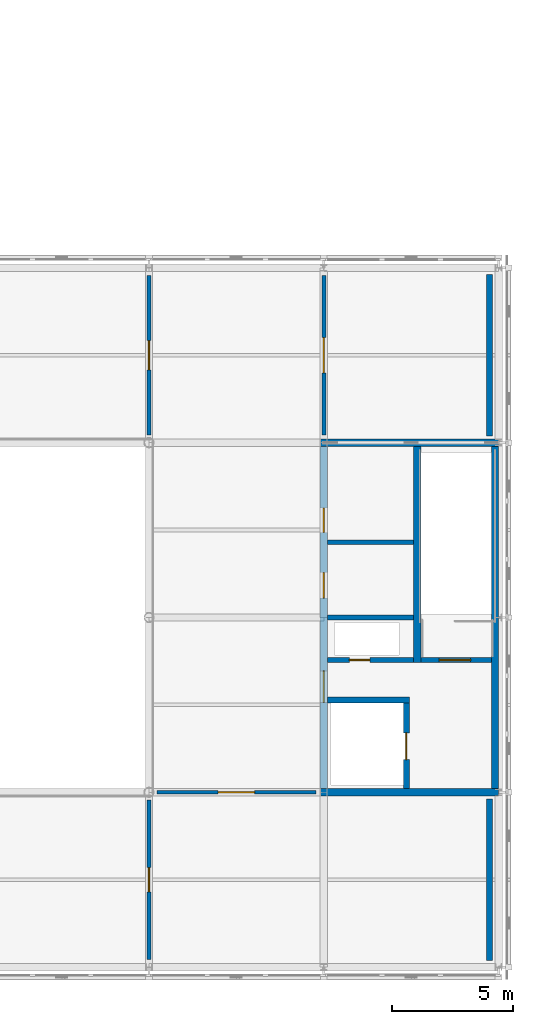
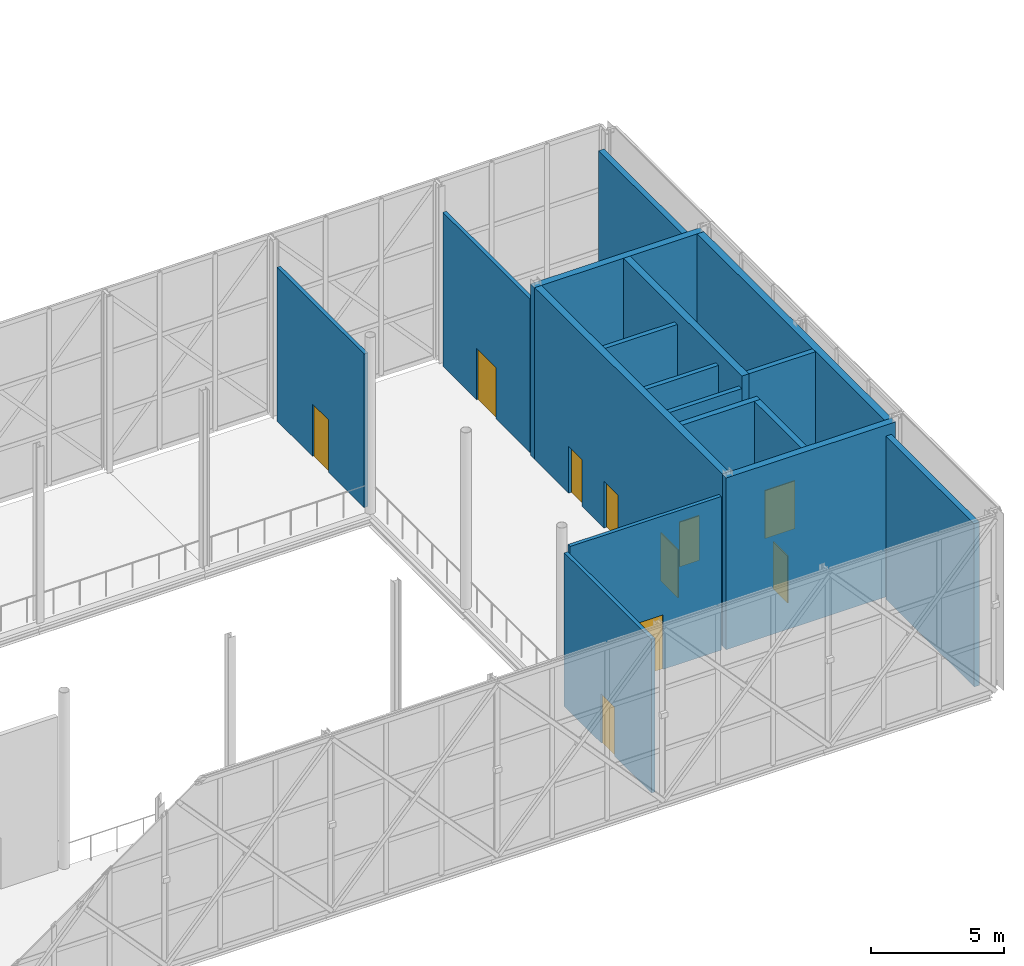
# One storey, part 68 of 76: 17 walls, 10 doors, 10 openings.
"""IFC4 building model written with IfcOpenShell, lengths in metres."""

import ifcopenshell
import ifcopenshell.guid

model = None  # the IFC model being written
_history = None  # IfcOwnerHistory: only IFC2X3 demands one
_inside = {}  # id of a spatial element -> (the spatial element, [elements in it])
_under = {}  # id of a project, library or spatial element -> (it, [spatial elements below it])
_declared = {}  # id of a project -> (the project, [libraries it declares])
_typed = {}  # id of a type object -> (the type object, [elements of that type])
_made_of = {}  # id of a material, layer set ... -> (it, [elements and type objects made of it])


def new_model(schema):
    """Start an empty IFC model of exactly this schema.

    Asked for "IFC4X3", IfcOpenShell would pick the latest addendum, in which some entities
    have other attributes; the version numbers below select the first issue.
    IFC2X3 requires an IfcOwnerHistory on every rooted entity: one is made here for all.
    """
    global model, _history
    if schema == "IFC4X3":
        model = ifcopenshell.file(schema_version=(4, 3, 0, 0))
    else:
        model = ifcopenshell.file(schema=schema)
    _inside.clear()
    _under.clear()
    _declared.clear()
    _typed.clear()
    _made_of.clear()
    _history = None
    if model.schema == "IFC2X3":
        org = make("IfcOrganization", Name="unknown")
        user = make(
            "IfcPersonAndOrganization",
            ThePerson=make("IfcPerson", FamilyName="unknown"),
            TheOrganization=org,
        )
        app = make(
            "IfcApplication",
            ApplicationDeveloper=org,
            Version="unknown",
            ApplicationFullName="unknown",
            ApplicationIdentifier="unknown",
        )
        _history = make(
            "IfcOwnerHistory",
            OwningUser=user,
            OwningApplication=app,
            ChangeAction="ADDED",
            CreationDate=0,
        )
    return model


def make(cls, **values):
    """One entity of the class cls with the attributes given. An attribute that is None is left unset."""
    return model.create_entity(
        cls, **{name: value for name, value in values.items() if value is not None}
    )


def rooted(cls, **values):
    """An entity with a GlobalId (a new one), such as an element, a storey or a relation."""
    return make(cls, GlobalId=ifcopenshell.guid.new(), OwnerHistory=_history, **values)


def si_unit(unit_type, name, prefix=None):
    """IfcSIUnit, for example si_unit("LENGTHUNIT", "METRE", prefix="MILLI")."""
    return make("IfcSIUnit", UnitType=unit_type, Prefix=prefix, Name=name)


def assignment(units):
    """IfcUnitAssignment: the units of a project."""
    return None if units is None else make("IfcUnitAssignment", Units=units)


def point(xyz):
    """IfcCartesianPoint."""
    return None if xyz is None else make("IfcCartesianPoint", Coordinates=xyz)


def direction(xyz):
    """IfcDirection."""
    return None if xyz is None else make("IfcDirection", DirectionRatios=xyz)


def frame(location, z_axis=None, x_axis=None):
    """IfcAxis2Placement3D, a coordinate frame: its origin and axes. An axis left out is left unset."""
    return make(
        "IfcAxis2Placement3D",
        Location=point(location),
        Axis=direction(z_axis),
        RefDirection=direction(x_axis),
    )


def frame_2d(location, x_axis=None):
    """IfcAxis2Placement2D, a coordinate frame in the plane: its origin and x axis."""
    return make(
        "IfcAxis2Placement2D", Location=point(location), RefDirection=direction(x_axis)
    )


def origin():
    """The frame at (0, 0, 0) with its axes left unset."""
    return frame((0.0, 0.0, 0.0))


def place(relative_to, where):
    """IfcLocalPlacement: puts the frame where relative to a parent placement (None: the world)."""
    return make(
        "IfcLocalPlacement", PlacementRelTo=relative_to, RelativePlacement=where
    )


def context(
    kind, dimensions, precision=None, world=None, true_north=None, identifier=None
):
    """IfcGeometricRepresentationContext, for example the 3D "Model" context."""
    return make(
        "IfcGeometricRepresentationContext",
        ContextIdentifier=identifier,
        ContextType=kind,
        CoordinateSpaceDimension=dimensions,
        Precision=precision,
        WorldCoordinateSystem=world,
        TrueNorth=true_north,
    )


def subcontext(parent, identifier, kind, view, scale=None):
    """IfcGeometricRepresentationSubContext, for example "Body" below "Model"."""
    return make(
        "IfcGeometricRepresentationSubContext",
        ContextIdentifier=identifier,
        ContextType=kind,
        ParentContext=parent,
        TargetScale=scale,
        TargetView=view,
    )


def project(units=None, contexts=None):
    """IfcProject with its units and contexts."""
    return rooted(
        "IfcProject",
        Name="project",
        RepresentationContexts=contexts,
        UnitsInContext=assignment(units),
    )


def spatial(cls, under=None, at=None, **own):
    """A site, building, storey or space (cls), placed at a placement, below another one or the project."""
    s = rooted(cls, ObjectPlacement=at, **own)
    if under is not None:
        _under.setdefault(under.id(), (under, []))[1].append(s)
    return s


def profile(cls, at=None, kind="AREA", **sizes):
    """A parametric profile (cls). Its sizes go by their IFC names, for example OverallWidth=200.0."""
    return make(cls, ProfileType=kind, Position=at, **sizes)


def rectangle(**sizes):
    """IfcRectangleProfileDef."""
    return profile("IfcRectangleProfileDef", **sizes)


def extrude(swept, where, along, depth):
    """IfcExtrudedAreaSolid: the profile swept, set in the frame where, extruded along a direction by depth."""
    return make(
        "IfcExtrudedAreaSolid",
        SweptArea=swept,
        Position=where,
        ExtrudedDirection=direction(along),
        Depth=depth,
    )


def shape(context_of_items, identifier, shape_type, items):
    """IfcShapeRepresentation: the items that make up one representation, for example the "Body"."""
    return make(
        "IfcShapeRepresentation",
        ContextOfItems=context_of_items,
        RepresentationIdentifier=identifier,
        RepresentationType=shape_type,
        Items=items,
    )


def material(Name=None, Category=None):
    """IfcMaterial."""
    return make("IfcMaterial", Name=Name, Category=Category)


def layer(
    of_material, thickness, ventilated=None, Name=None, Category=None, Priority=None
):
    """IfcMaterialLayer: one layer of a wall or slab, of a material (None: an air gap)."""
    return make(
        "IfcMaterialLayer",
        Material=of_material,
        LayerThickness=thickness,
        IsVentilated=ventilated,
        Name=Name,
        Category=Category,
        Priority=Priority,
    )


def layer_set(layers, Name=None):
    """IfcMaterialLayerSet."""
    return make("IfcMaterialLayerSet", MaterialLayers=layers, LayerSetName=Name)


def made_of(thing, what):
    """Note that an element or type object is made of a material, layer set ...; save() writes the relation."""
    if what is not None:
        _made_of.setdefault(what.id(), (what, []))[1].append(thing)
    return thing


def type_object(cls, material=None, **own):
    """A type object (cls), such as IfcWallType, which elements share."""
    return made_of(rooted(cls, **own), material)


def element(
    cls,
    number,
    at=None,
    inside=None,
    cuts=None,
    type_object=None,
    material=None,
    context=None,
    identifier="Body",
    shape_type=None,
    held_by="IfcProductDefinitionShape",
    body=None,
    shapes=None,
    **own,
):
    """One element of the class cls, such as IfcWall. Its Tag is "e" and its number.

    at: its placement. inside: the storey or other place that contains it. cuts: it is an
    opening in that element (IfcRelVoidsElement). A single representation is given by context,
    identifier, shape_type and body (its items); several are given by shapes. held_by: the class
    of the entity that holds the representations. save() writes the other relations.
    """
    e = rooted(cls, Tag="e%d" % number, ObjectPlacement=at, **own)
    if body is not None:
        shapes = [shape(context, identifier, shape_type, body)]
    if shapes is not None:
        e.Representation = make(held_by, Representations=shapes)
    if inside is not None:
        _inside.setdefault(inside.id(), (inside, []))[1].append(e)
    if cuts is not None:
        rooted(
            "IfcRelVoidsElement", RelatingBuildingElement=cuts, RelatedOpeningElement=e
        )
    if type_object is not None:
        _typed.setdefault(type_object.id(), (type_object, []))[1].append(e)
    return made_of(e, material)


def fill(opening, filler):
    """IfcRelFillsElement: the door or window that sits in an opening."""
    return rooted(
        "IfcRelFillsElement",
        RelatingOpeningElement=opening,
        RelatedBuildingElement=filler,
    )


def aggregate(whole, parts):
    """IfcRelAggregates: a whole, such as a stair, and the parts it consists of."""
    return rooted("IfcRelAggregates", RelatingObject=whole, RelatedObjects=parts)


def save(model, path):
    """Write the relations noted so far, then the file.

    IfcRelAggregates (storeys below a building ...), IfcRelContainedInSpatialStructure (elements
    in a storey), IfcRelDefinesByType, IfcRelAssociatesMaterial and IfcRelDeclares: one each for
    every whole, place, type object, material and project.
    """
    for whole, parts in _under.values():
        aggregate(whole, parts)
    for where, things in _inside.values():
        rooted(
            "IfcRelContainedInSpatialStructure",
            RelatedElements=things,
            RelatingStructure=where,
        )
    for kind, things in _typed.values():
        rooted("IfcRelDefinesByType", RelatedObjects=things, RelatingType=kind)
    for what, things in _made_of.values():
        rooted("IfcRelAssociatesMaterial", RelatedObjects=things, RelatingMaterial=what)
    for by, libraries in _declared.values():
        rooted("IfcRelDeclares", RelatingContext=by, RelatedDefinitions=libraries)
    model.write(path)


model = new_model("IFC4")

# Units and contexts
model_context = context("Model", 3, precision=1e-05, world=origin(), true_north=direction((0.0, 1.0)))
body_context = subcontext(model_context, "Body", "Model", "MODEL_VIEW")
ifc_project = project(units=[si_unit("LENGTHUNIT", "METRE"), si_unit("AREAUNIT", "SQUARE_METRE"), si_unit("VOLUMEUNIT", "CUBIC_METRE"), si_unit("PLANEANGLEUNIT", "RADIAN"), si_unit("MASSUNIT", "GRAM", prefix="KILO")], contexts=[model_context])

# Site, building, storey
site_placement = place(None, origin())
site = spatial("IfcSite", under=ifc_project, at=site_placement, CompositionType="ELEMENT")
building_placement = place(site_placement, origin())
building = spatial("IfcBuilding", under=site, at=building_placement, Name="Zlatovets Crest Museum", CompositionType="ELEMENT")
storey_placement = place(building_placement, frame((0.0, 0.0, 17.10009765625)))
storey = spatial("IfcBuildingStorey", under=building, at=storey_placement, Name="L04", CompositionType="ELEMENT", Elevation=17.10009765625)

# Walls
ifc_material_1 = material(Name="Concrete C35/45", Category="concrete")
ifc_layer_1 = layer(ifc_material_1, 0.300048828125)
ifc_layer_set_1 = layer_set([ifc_layer_1], Name="Concrete C35/45")
wall_type_1 = type_object("IfcWallType", Name="CoreWall_SW01", PredefinedType="SHEAR", material=ifc_layer_set_1)
for number, where, z_axis, x_axis, name in (
    (1, (100.64990234375, 7.199951171875, 0.0), (0.0, 0.0, 1.0), (1.0, 0.0, 0.0), "Core C8 L04 South Shear Wall"),
    (2, (100.64990234375, 21.60009765625, 0.0), (0.0, 0.0, 1.0), (1.0, 0.0, 0.0), "Core C8 L04 North Shear Wall"),
):
    element("IfcWall", number, at=place(storey_placement, frame(where, z_axis=z_axis, x_axis=x_axis)), inside=storey, type_object=wall_type_1, Name=name, PredefinedType="SHEAR", context=body_context, shape_type="SweptSolid", body=[
        extrude(rectangle(XDim=7.35009765625, YDim=0.300048828125, at=frame_2d((3.675048828125, 0.0))), origin(), (0.0, 0.0, 1.0), 7.8798828125),
    ])
wall_1_placement = place(storey_placement, frame((107.85009765625, 7.35009765625, 0.0), z_axis=(0.0, 0.0, 1.0), x_axis=(0.0, 1.0, 0.0)))
element("IfcWall", 3, at=wall_1_placement, inside=storey, type_object=wall_type_1, Name="Core C8 L04 Perimeter Shear Wall", PredefinedType="SHEAR", context=body_context, shape_type="SweptSolid", body=[
    extrude(rectangle(XDim=14.099853515625, YDim=0.300048828125, at=frame_2d((7.0498046875, 0.0))), origin(), (0.0, 0.0, 1.0), 7.8798828125),
])

# Wall, openings, doors
wall_2_placement = place(storey_placement, frame((100.800048828125, 7.35009765625, 0.0), z_axis=(0.0, 0.0, 1.0), x_axis=(0.0, 1.0, 0.0)))
wall_2 = element("IfcWall", 4, at=wall_2_placement, inside=storey, type_object=wall_type_1, Name="Core C8 L04 Spine Shear Wall", PredefinedType="SHEAR", context=body_context, shape_type="SweptSolid", body=[
    extrude(rectangle(XDim=14.099853515625, YDim=0.300048828125, at=frame_2d((7.0498046875, 0.0))), origin(), (0.0, 0.0, 1.0), 7.8798828125),
])
opening_1_placement = place(wall_2_placement, frame((3.550048828125, 0.0, 0.0)))
opening_1 = element("IfcOpeningElement", 5, at=opening_1_placement, cuts=wall_2, Name="Opening FD-01", PredefinedType="OPENING", context=body_context, shape_type="SweptSolid", body=[
    extrude(rectangle(XDim=1.300048828125, YDim=2.199951171875, at=frame_2d((0.64990234375, 1.10009765625))), frame((0.0, 0.16015625, 0.0), z_axis=(0.0, -1.0, 0.0), x_axis=(1.0, 0.0, 0.0)), (0.0, 0.0, 1.0), 0.320068359375),
])
opening_2_placement = place(wall_2_placement, frame((7.85009765625, 0.0, 0.0)))
opening_2 = element("IfcOpeningElement", 6, at=opening_2_placement, cuts=wall_2, Name="Opening ID-02", PredefinedType="OPENING", context=body_context, shape_type="SweptSolid", body=[
    extrude(rectangle(XDim=1.050048828125, YDim=2.14990234375, at=frame_2d((0.52490234375, 1.074951171875))), frame((0.0, 0.16015625, 0.0), z_axis=(0.0, -1.0, 0.0), x_axis=(1.0, 0.0, 0.0)), (0.0, 0.0, 1.0), 0.320068359375),
])
opening_3_placement = place(wall_2_placement, frame((10.550048828125, 0.0, 0.0)))
opening_3 = element("IfcOpeningElement", 7, at=opening_3_placement, cuts=wall_2, Name="Opening ID-01", PredefinedType="OPENING", context=body_context, shape_type="SweptSolid", body=[
    extrude(rectangle(XDim=1.0, YDim=2.14990234375, at=frame_2d((0.5, 1.074951171875))), frame((0.0, 0.16015625, 0.0), z_axis=(0.0, -1.0, 0.0), x_axis=(1.0, 0.0, 0.0)), (0.0, 0.0, 1.0), 0.320068359375),
])
ifc_material_2 = material(Name="Smoke-sealed steel fire door", Category="steel")
door_type_1 = type_object("IfcDoorType", Name="IntDoor_FD-01", OperationType="NOTDEFINED", PredefinedType="DOOR", material=ifc_material_2)
door_1_placement = place(opening_1_placement, origin())
door_1 = element("IfcDoor", 8, at=door_1_placement, inside=storey, type_object=door_type_1, Name="CDOOR-C8-L04-LOB Core C8 L04 Lobby Fire Door", OperationType="SINGLE_SWING_RIGHT", OverallHeight=2.199951171875, OverallWidth=1.300048828125, PredefinedType="DOOR", context=body_context, shape_type="SweptSolid", body=[
    extrude(rectangle(XDim=1.300048828125, YDim=2.199951171875, at=frame_2d((0.64990234375, 1.10009765625))), frame((0.0, 0.02490234375, 0.0), z_axis=(0.0, -1.0, 0.0), x_axis=(1.0, 0.0, 0.0)), (0.0, 0.0, 1.0), 0.050048828125),
])
fill(opening_1, door_1)
ifc_material_3 = material(Name="Solid oak museum room door")
door_type_2 = type_object("IfcDoorType", Name="IntDoor_ID-01", OperationType="NOTDEFINED", PredefinedType="DOOR", material=ifc_material_3)
door_2_placement = place(opening_3_placement, origin())
door_2 = element("IfcDoor", 9, at=door_2_placement, inside=storey, type_object=door_type_2, Name="CDOOR-C8-L04-WC Core C8 L04 Public Restroom Door", OperationType="SINGLE_SWING_RIGHT", OverallHeight=2.14990234375, OverallWidth=1.0, PredefinedType="DOOR", context=body_context, shape_type="SweptSolid", body=[
    extrude(rectangle(XDim=1.0, YDim=2.14990234375, at=frame_2d((0.5, 1.074951171875))), frame((0.0, 0.02490234375, 0.0), z_axis=(0.0, -1.0, 0.0), x_axis=(1.0, 0.0, 0.0)), (0.0, 0.0, 1.0), 0.050048828125),
])
fill(opening_3, door_2)
ifc_material_4 = material(Name="Accessible sanitary room door")
door_type_3 = type_object("IfcDoorType", Name="IntDoor_ID-02", OperationType="NOTDEFINED", PredefinedType="DOOR", material=ifc_material_4)
door_3_placement = place(opening_2_placement, origin())
door_3 = element("IfcDoor", 10, at=door_3_placement, inside=storey, type_object=door_type_3, Name="CDOOR-C8-L04-AWC Core C8 L04 Accessible WC Door", OperationType="SINGLE_SWING_LEFT", OverallHeight=2.14990234375, OverallWidth=1.050048828125, PredefinedType="DOOR", context=body_context, shape_type="SweptSolid", body=[
    extrude(rectangle(XDim=1.050048828125, YDim=2.14990234375, at=frame_2d((0.52490234375, 1.074951171875))), frame((0.0, 0.02490234375, 0.0), z_axis=(0.0, -1.0, 0.0), x_axis=(1.0, 0.0, 0.0)), (0.0, 0.0, 1.0), 0.050048828125),
])
fill(opening_2, door_3)

# Wall
wall_3_placement = place(storey_placement, frame((104.64990234375, 12.5400390625, 0.0), z_axis=(0.0, 0.0, 1.0), x_axis=(0.0, 1.0, 0.0)))
element("IfcWall", 11, at=wall_3_placement, inside=storey, type_object=wall_type_1, Name="Core C8 L04 Stair Divider Wall", PredefinedType="SHEAR", context=body_context, shape_type="SweptSolid", body=[
    extrude(rectangle(XDim=8.909912109375, YDim=0.300048828125, at=frame_2d((4.455078125, 0.0))), origin(), (0.0, 0.0, 1.0), 7.8798828125),
])

# Wall, opening, door
ifc_layer_2 = layer(ifc_material_1, 0.25)
ifc_layer_set_2 = layer_set([ifc_layer_2], Name="Concrete C35/45")
wall_type_2 = type_object("IfcWallType", Name="CoreWall_SW02", PredefinedType="SHEAR", material=ifc_layer_set_2)
wall_4_placement = place(storey_placement, frame((104.199951171875, 7.35009765625, 0.0), z_axis=(0.0, 0.0, 1.0), x_axis=(0.0, 1.0, 0.0)))
wall_4 = element("IfcWall", 12, at=wall_4_placement, inside=storey, type_object=wall_type_2, Name="Core C8 L04 Lift Shaft Wall", PredefinedType="SHEAR", context=body_context, shape_type="SweptSolid", body=[
    extrude(rectangle(XDim=3.52490234375, YDim=0.25, at=frame_2d((1.762451171875, 0.0))), origin(), (0.0, 0.0, 1.0), 7.8798828125),
])
opening_4_placement = place(wall_4_placement, frame((1.199951171875, 0.0, 0.0)))
opening_4 = element("IfcOpeningElement", 13, at=opening_4_placement, cuts=wall_4, Name="Opening LD-01", PredefinedType="OPENING", context=body_context, shape_type="SweptSolid", body=[
    extrude(rectangle(XDim=1.10009765625, YDim=2.14990234375, at=frame_2d((0.550048828125, 1.074951171875))), frame((0.0, 0.135009765625, 0.0), z_axis=(0.0, -1.0, 0.0), x_axis=(1.0, 0.0, 0.0)), (0.0, 0.0, 1.0), 0.27001953125),
])
ifc_material_5 = material(Name="Stainless-bronze sliding lift landing door")
door_type_4 = type_object("IfcDoorType", Name="IntDoor_LD-01", OperationType="SLIDING_TO_LEFT", PredefinedType="DOOR", material=ifc_material_5)
door_4_placement = place(opening_4_placement, origin())
door_4 = element("IfcDoor", 14, at=door_4_placement, inside=storey, type_object=door_type_4, Name="LDOOR-PL5-L04 Lift PL5 L04 Sliding Landing Door", OperationType="SLIDING_TO_LEFT", OverallHeight=2.14990234375, OverallWidth=1.10009765625, PredefinedType="DOOR", context=body_context, shape_type="SweptSolid", body=[
    extrude(rectangle(XDim=1.10009765625, YDim=2.14990234375, at=frame_2d((0.550048828125, 1.074951171875))), frame((0.0, 0.02490234375, 0.0), z_axis=(0.0, -1.0, 0.0), x_axis=(1.0, 0.0, 0.0)), (0.0, 0.0, 1.0), 0.050048828125),
])
fill(opening_4, door_4)

wall_5_placement = place(storey_placement, frame((104.800048828125, 12.64990234375, 0.0), z_axis=(0.0, 0.0, 1.0), x_axis=(1.0, 0.0, 0.0)))
wall_5 = element("IfcWall", 15, at=wall_5_placement, inside=storey, type_object=wall_type_2, Name="Core C8 L04 Stairwell Fire Wall", PredefinedType="SHEAR", context=body_context, shape_type="SweptSolid", body=[
    extrude(rectangle(XDim=2.89990234375, YDim=0.219970703125, at=frame_2d((1.449951171875, 0.0))), origin(), (0.0, 0.0, 1.0), 7.8798828125),
])
opening_5_placement = place(wall_5_placement, frame((0.75, 0.0, 0.0)))
opening_5 = element("IfcOpeningElement", 16, at=opening_5_placement, cuts=wall_5, Name="Opening FD-01", PredefinedType="OPENING", context=body_context, shape_type="SweptSolid", body=[
    extrude(rectangle(XDim=1.300048828125, YDim=2.199951171875, at=frame_2d((0.64990234375, 1.10009765625))), frame((0.0, 0.1201171875, 0.0), z_axis=(0.0, -1.0, 0.0), x_axis=(1.0, 0.0, 0.0)), (0.0, 0.0, 1.0), 0.239990234375),
])
door_5_placement = place(opening_5_placement, origin())
door_5 = element("IfcDoor", 17, at=door_5_placement, inside=storey, type_object=door_type_1, Name="SDOOR-ST9-L04 Stair ST9 L04 Fire Door", OperationType="SINGLE_SWING_LEFT", OverallHeight=2.199951171875, OverallWidth=1.300048828125, PredefinedType="DOOR", context=body_context, shape_type="SweptSolid", body=[
    extrude(rectangle(XDim=1.300048828125, YDim=2.199951171875, at=frame_2d((0.64990234375, 1.10009765625))), frame((0.0, 0.02490234375, 0.0), z_axis=(0.0, -1.0, 0.0), x_axis=(1.0, 0.0, 0.0)), (0.0, 0.0, 1.0), 0.050048828125),
])
fill(opening_5, door_5)

# Walls
wall_6_placement = place(storey_placement, frame((100.949951171875, 11.0, 0.0), z_axis=(0.0, 0.0, 1.0), x_axis=(1.0, 0.0, 0.0)))
element("IfcWall", 18, at=wall_6_placement, inside=storey, type_object=wall_type_2, Name="Core C8 L04 Lift Shaft North Shear Wall", PredefinedType="SHEAR", context=body_context, shape_type="SweptSolid", body=[
    extrude(rectangle(XDim=3.375, YDim=0.25, at=frame_2d((1.6875, 0.0))), origin(), (0.0, 0.0, 1.0), 7.8798828125),
])
ifc_material_6 = material(Name="Insulated gallery conservation liner wall", Category="concrete")
ifc_layer_3 = layer(ifc_material_6, 0.300048828125)
ifc_layer_set_3 = layer_set([ifc_layer_3], Name="Insulated gallery conservation liner wall")
wall_type_3 = type_object("IfcWallType", Name="ExtWall_EW-02", PredefinedType="STANDARD", material=ifc_layer_set_3)
wall_7_placement = place(storey_placement, frame((107.6201171875, 0.280029296875, 0.0), z_axis=(0.0, 0.0, 1.0), x_axis=(0.0, 1.0, 0.0)))
element("IfcWall", 19, at=wall_7_placement, inside=storey, type_object=wall_type_3, Name="V2 L04 Interior Conservation Gallery Liner Wall", PredefinedType="STANDARD", context=body_context, shape_type="SweptSolid", body=[
    extrude(rectangle(XDim=6.639892578125, YDim=0.239990234375, at=frame_2d((3.31982421875, 0.0))), origin(), (0.0, 0.0, 1.0), 7.47998046875),
])
wall_8_placement = place(storey_placement, frame((107.6201171875, 21.8798828125, 0.0), z_axis=(0.0, 0.0, 1.0), x_axis=(0.0, 1.0, 0.0)))
element("IfcWall", 20, at=wall_8_placement, inside=storey, type_object=wall_type_3, Name="V2 L04 Interior Conservation Gallery Liner Wall", PredefinedType="STANDARD", context=body_context, shape_type="SweptSolid", body=[
    extrude(rectangle(XDim=6.64013671875, YDim=0.239990234375, at=frame_2d((3.320068359375, 0.0))), origin(), (0.0, 0.0, 1.0), 7.47998046875),
])

# Wall, opening, door
ifc_material_7 = material(Name="Acoustic museum gallery stud partition")
ifc_layer_4 = layer(ifc_material_7, 0.159912109375)
ifc_layer_set_4 = layer_set([ifc_layer_4], Name="Acoustic museum gallery stud partition")
wall_type_4 = type_object("IfcWallType", Name="PartWall_PT-02", PredefinedType="PARTITIONING", material=ifc_layer_set_4)
wall_9_placement = place(storey_placement, frame((93.60009765625, 0.320068359375, 0.0), z_axis=(0.0, 0.0, 1.0), x_axis=(0.0, 1.0, 0.0)))
wall_9 = element("IfcWall", 21, at=wall_9_placement, inside=storey, type_object=wall_type_4, Name="V2 L04 Interior Partition PT-02", PredefinedType="PARTITIONING", context=body_context, shape_type="SweptSolid", body=[
    extrude(rectangle(XDim=6.559814453125, YDim=0.159912109375, at=frame_2d((3.27978515625, 0.0))), origin(), (0.0, 0.0, 1.0), 7.0498046875),
])
opening_6_placement = place(wall_9_placement, frame((2.780029296875, 0.0, 0.0)))
opening_6 = element("IfcOpeningElement", 22, at=opening_6_placement, cuts=wall_9, Name="Opening ID-18", PredefinedType="OPENING", context=body_context, shape_type="SweptSolid", body=[
    extrude(rectangle(XDim=1.0, YDim=2.25, at=frame_2d((0.5, 1.125))), frame((0.0, 0.08984375, 0.0), z_axis=(0.0, -1.0, 0.0), x_axis=(1.0, 0.0, 0.0)), (0.0, 0.0, 1.0), 0.179931640625),
])
ifc_material_8 = material(Name="Registrar office tall oak door")
door_type_5 = type_object("IfcDoorType", Name="IntDoor_ID-18", OperationType="NOTDEFINED", PredefinedType="DOOR", material=ifc_material_8)
door_6_placement = place(opening_6_placement, origin())
door_6 = element("IfcDoor", 23, at=door_6_placement, inside=storey, type_object=door_type_5, Name="IDOOR-V2-L04-0219 Secession Graphic Cabinet to Chief Curator Study Door", OperationType="SINGLE_SWING_RIGHT", OverallHeight=2.25, OverallWidth=1.0, PredefinedType="DOOR", context=body_context, shape_type="SweptSolid", body=[
    extrude(rectangle(XDim=1.0, YDim=2.25, at=frame_2d((0.5, 1.125))), frame((0.0, 0.02490234375, 0.0), z_axis=(0.0, -1.0, 0.0), x_axis=(1.0, 0.0, 0.0)), (0.0, 0.0, 1.0), 0.050048828125),
])
fill(opening_6, door_6)

wall_10_placement = place(storey_placement, frame((93.60009765625, 21.919921875, 0.0), z_axis=(0.0, 0.0, 1.0), x_axis=(0.0, 1.0, 0.0)))
wall_10 = element("IfcWall", 24, at=wall_10_placement, inside=storey, type_object=wall_type_4, Name="V2 L04 Interior Partition PT-02", PredefinedType="PARTITIONING", context=body_context, shape_type="SweptSolid", body=[
    extrude(rectangle(XDim=6.56005859375, YDim=0.159912109375, at=frame_2d((3.280029296875, 0.0))), origin(), (0.0, 0.0, 1.0), 7.0498046875),
])
opening_7_placement = place(wall_10_placement, frame((2.679931640625, 0.0, 0.0)))
opening_7 = element("IfcOpeningElement", 25, at=opening_7_placement, cuts=wall_10, Name="Opening ID-20", PredefinedType="OPENING", context=body_context, shape_type="SweptSolid", body=[
    extrude(rectangle(XDim=1.199951171875, YDim=2.39990234375, at=frame_2d((0.60009765625, 1.199951171875))), frame((0.0, 0.08984375, 0.0), z_axis=(0.0, -1.0, 0.0), x_axis=(1.0, 0.0, 0.0)), (0.0, 0.0, 1.0), 0.179931640625),
])
ifc_material_9 = material(Name="Laboratory equipment leaf door")
door_type_6 = type_object("IfcDoorType", Name="IntDoor_ID-20", OperationType="NOTDEFINED", PredefinedType="DOOR", material=ifc_material_9)
door_7_placement = place(opening_7_placement, origin())
door_7 = element("IfcDoor", 26, at=door_7_placement, inside=storey, type_object=door_type_6, Name="IDOOR-V2-L04-0221 Atrium Belvedere Lounge to Atrium Clerestory Sculpture Gallery Door", OperationType="SINGLE_SWING_RIGHT", OverallHeight=2.39990234375, OverallWidth=1.199951171875, PredefinedType="DOOR", context=body_context, shape_type="SweptSolid", body=[
    extrude(rectangle(XDim=1.199951171875, YDim=2.39990234375, at=frame_2d((0.60009765625, 1.199951171875))), frame((0.0, 0.02490234375, 0.0), z_axis=(0.0, -1.0, 0.0), x_axis=(1.0, 0.0, 0.0)), (0.0, 0.0, 1.0), 0.050048828125),
])
fill(opening_7, door_7)

wall_11_placement = place(storey_placement, frame((100.800048828125, 21.919921875, 0.0), z_axis=(0.0, 0.0, 1.0), x_axis=(0.0, 1.0, 0.0)))
wall_11 = element("IfcWall", 27, at=wall_11_placement, inside=storey, type_object=wall_type_4, Name="V2 L04 Interior Partition PT-02", PredefinedType="PARTITIONING", context=body_context, shape_type="SweptSolid", body=[
    extrude(rectangle(XDim=6.56005859375, YDim=0.159912109375, at=frame_2d((3.280029296875, 0.0))), origin(), (0.0, 0.0, 1.0), 7.0498046875),
])
opening_8_placement = place(wall_11_placement, frame((2.554931640625, 0.0, 0.0)))
opening_8 = element("IfcOpeningElement", 28, at=opening_8_placement, cuts=wall_11, Name="Opening ID-22", PredefinedType="OPENING", context=body_context, shape_type="SweptSolid", body=[
    extrude(rectangle(XDim=1.449951171875, YDim=2.35009765625, at=frame_2d((0.72509765625, 1.175048828125))), frame((0.0, 0.08984375, 0.0), z_axis=(0.0, -1.0, 0.0), x_axis=(1.0, 0.0, 0.0)), (0.0, 0.0, 1.0), 0.179931640625),
])
ifc_material_10 = material(Name="Education studio double door")
door_type_7 = type_object("IfcDoorType", Name="IntDoor_ID-22", OperationType="DOUBLE_DOOR_SINGLE_SWING", PredefinedType="DOOR", material=ifc_material_10)
door_8_placement = place(opening_8_placement, origin())
door_8 = element("IfcDoor", 29, at=door_8_placement, inside=storey, type_object=door_type_7, Name="IDOOR-V2-L04-0223 Atrium Clerestory Sculpture Gallery to East Court Cabinet L04 Door", OperationType="DOUBLE_DOOR_SINGLE_SWING", OverallHeight=2.35009765625, OverallWidth=1.449951171875, PredefinedType="DOOR", context=body_context, shape_type="SweptSolid", body=[
    extrude(rectangle(XDim=1.449951171875, YDim=2.35009765625, at=frame_2d((0.72509765625, 1.175048828125))), frame((0.0, 0.02490234375, 0.0), z_axis=(0.0, -1.0, 0.0), x_axis=(1.0, 0.0, 0.0)), (0.0, 0.0, 1.0), 0.050048828125),
])
fill(opening_8, door_8)

wall_12_placement = place(storey_placement, frame((93.919921875, 7.199951171875, 0.0), z_axis=(0.0, 0.0, 1.0), x_axis=(1.0, 0.0, 0.0)))
wall_12 = element("IfcWall", 30, at=wall_12_placement, inside=storey, type_object=wall_type_4, Name="V2 L04 Interior Partition PT-02", PredefinedType="PARTITIONING", context=body_context, shape_type="SweptSolid", body=[
    extrude(rectangle(XDim=6.56005859375, YDim=0.159912109375, at=frame_2d((3.280029296875, 0.0))), origin(), (0.0, 0.0, 1.0), 7.0498046875),
])
opening_9_placement = place(wall_12_placement, frame((2.530029296875, 0.0, 0.0)))
opening_9 = element("IfcOpeningElement", 31, at=opening_9_placement, cuts=wall_12, Name="Opening ID-23", PredefinedType="OPENING", context=body_context, shape_type="SweptSolid", body=[
    extrude(rectangle(XDim=1.5, YDim=2.5, at=frame_2d((0.75, 1.25))), frame((0.0, 0.08984375, 0.0), z_axis=(0.0, -1.0, 0.0), x_axis=(1.0, 0.0, 0.0)), (0.0, 0.0, 1.0), 0.179931640625),
])
ifc_material_11 = material(Name="Foyer vestibule double door")
door_type_8 = type_object("IfcDoorType", Name="IntDoor_ID-23", OperationType="DOUBLE_DOOR_SINGLE_SWING", PredefinedType="DOOR", material=ifc_material_11)
door_9_placement = place(opening_9_placement, origin())
door_9 = element("IfcDoor", 32, at=door_9_placement, inside=storey, type_object=door_type_8, Name="IDOOR-V2-L04-0224 Atrium Clerestory Sculpture Gallery to Chief Curator Study Door", OperationType="DOUBLE_DOOR_SINGLE_SWING", OverallHeight=2.5, OverallWidth=1.5, PredefinedType="DOOR", context=body_context, shape_type="SweptSolid", body=[
    extrude(rectangle(XDim=1.5, YDim=2.5, at=frame_2d((0.75, 1.25))), frame((0.0, 0.02490234375, 0.0), z_axis=(0.0, -1.0, 0.0), x_axis=(1.0, 0.0, 0.0)), (0.0, 0.0, 1.0), 0.050048828125),
])
fill(opening_9, door_9)

ifc_material_12 = material(Name="Sanitary core acoustic service wall")
ifc_layer_5 = layer(ifc_material_12, 0.219970703125)
ifc_layer_set_5 = layer_set([ifc_layer_5], Name="Sanitary core acoustic service wall")
wall_type_5 = type_object("IfcWallType", Name="PartWall_PT-04", PredefinedType="PLUMBINGWALL", material=ifc_layer_set_5)
wall_13_placement = place(storey_placement, frame((100.949951171875, 12.64990234375, 0.0), z_axis=(0.0, 0.0, 1.0), x_axis=(1.0, 0.0, 0.0)))
wall_13 = element("IfcWall", 33, at=wall_13_placement, inside=storey, type_object=wall_type_5, Name="Core C8 L04 Riser Lobby Wall", PredefinedType="PLUMBINGWALL", context=body_context, shape_type="SweptSolid", body=[
    extrude(rectangle(XDim=3.550048828125, YDim=0.199951171875, at=frame_2d((1.77490234375, 0.0))), origin(), (0.0, 0.0, 1.0), 7.2998046875),
])
opening_10_placement = place(wall_13_placement, frame((0.89990234375, 0.0, 0.0)))
opening_10 = element("IfcOpeningElement", 34, at=opening_10_placement, cuts=wall_13, Name="Opening FD-03", PredefinedType="OPENING", context=body_context, shape_type="SweptSolid", body=[
    extrude(rectangle(XDim=0.85009765625, YDim=2.050048828125, at=frame_2d((0.425048828125, 1.02490234375))), frame((0.0, 0.10986328125, 0.0), z_axis=(0.0, -1.0, 0.0), x_axis=(1.0, 0.0, 0.0)), (0.0, 0.0, 1.0), 0.219970703125),
])
ifc_material_13 = material(Name="Steel riser shaft access fire door", Category="steel")
door_type_9 = type_object("IfcDoorType", Name="IntDoor_FD-03", OperationType="NOTDEFINED", PredefinedType="TRAPDOOR", material=ifc_material_13)
door_10_placement = place(opening_10_placement, origin())
door_10 = element("IfcDoor", 35, at=door_10_placement, inside=storey, type_object=door_type_9, Name="CDOOR-C8-L04-RIS Core C8 L04 Riser Access Door", OperationType="SINGLE_SWING_RIGHT", OverallHeight=2.050048828125, OverallWidth=0.85009765625, PredefinedType="TRAPDOOR", context=body_context, shape_type="SweptSolid", body=[
    extrude(rectangle(XDim=0.85009765625, YDim=2.050048828125, at=frame_2d((0.425048828125, 1.02490234375))), frame((0.0, 0.02490234375, 0.0), z_axis=(0.0, -1.0, 0.0), x_axis=(1.0, 0.0, 0.0)), (0.0, 0.0, 1.0), 0.050048828125),
])
fill(opening_10, door_10)

# Walls
for number, where, z_axis, x_axis, name in (
    (36, (100.949951171875, 14.39990234375, 0.0), (0.0, 0.0, 1.0), (1.0, 0.0, 0.0), "Core C8 L04 Sanitary Divider"),
    (37, (100.949951171875, 17.5, 0.0), (0.0, 0.0, 1.0), (1.0, 0.0, 0.0), "Core C8 L04 Sanitary Divider"),
):
    element("IfcWall", number, at=place(storey_placement, frame(where, z_axis=z_axis, x_axis=x_axis)), inside=storey, type_object=wall_type_5, Name=name, PredefinedType="PLUMBINGWALL", context=body_context, shape_type="SweptSolid", body=[
        extrude(rectangle(XDim=3.550048828125, YDim=0.199951171875, at=frame_2d((1.77490234375, 0.0))), origin(), (0.0, 0.0, 1.0), 7.2998046875),
    ])

save(model, "model.ifc")
